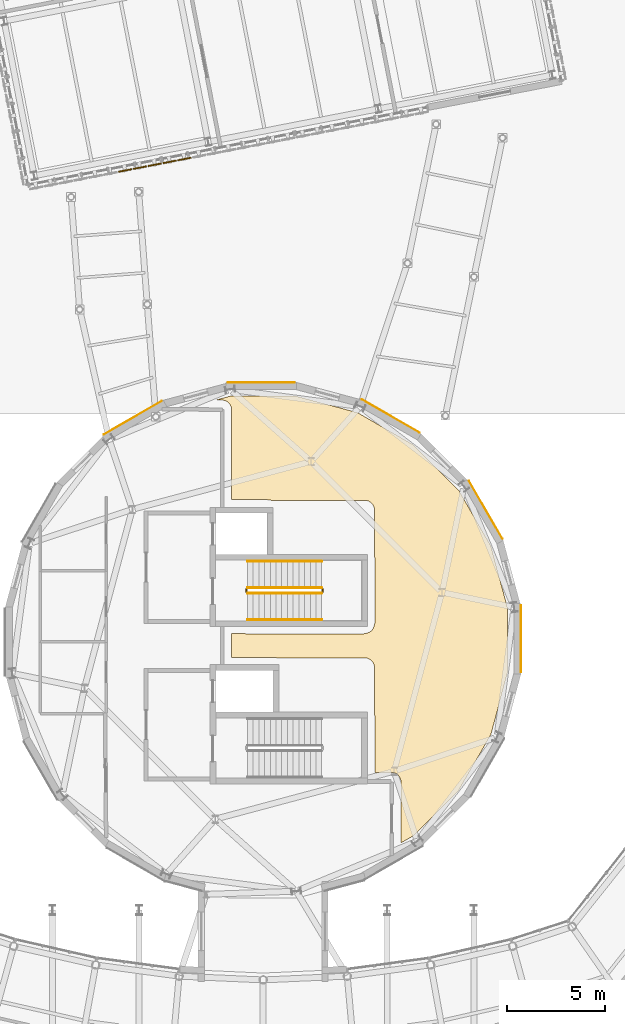
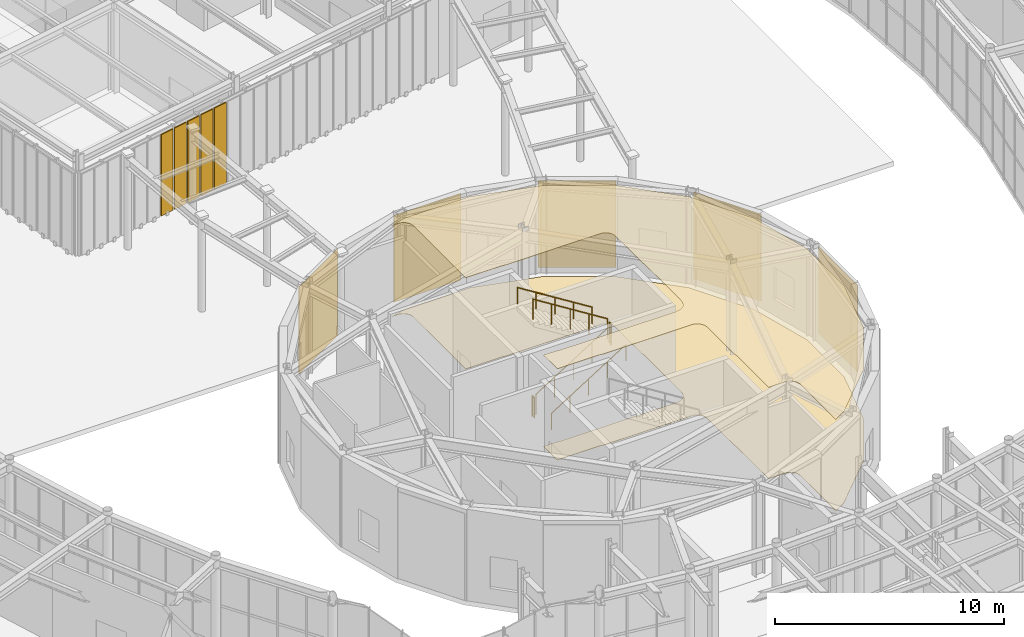
# One storey, part 89 of 97: 7 coverings, 6 railings, 5 shading devices.
"""IFC4 building model written with IfcOpenShell, lengths in metres."""

from ifc_helpers import new_model, si_unit, direction, frame, origin, origin_2d, place, context, subcontext, project, spatial, polyline, rectangle, circle, outline, extrude, material, layer, layer_set, type_object, element, save


model = new_model("IFC4")

# Units and contexts
model_context = context("Model", 3, precision=1e-05, world=origin(), true_north=direction((0.0, 1.0)))
body_context = subcontext(model_context, "Body", "Model", "MODEL_VIEW")
ifc_project = project(units=[si_unit("LENGTHUNIT", "METRE"), si_unit("AREAUNIT", "SQUARE_METRE"), si_unit("VOLUMEUNIT", "CUBIC_METRE"), si_unit("PLANEANGLEUNIT", "RADIAN"), si_unit("MASSUNIT", "GRAM", prefix="KILO")], contexts=[model_context])

# Site, building, storey
site_placement = place(None, origin())
site = spatial("IfcSite", under=ifc_project, at=site_placement, CompositionType="ELEMENT")
building_placement = place(site_placement, origin())
building = spatial("IfcBuilding", under=site, at=building_placement, Name="Varnklinge Art Gallery", CompositionType="ELEMENT")
storey_placement = place(building_placement, origin())
storey = spatial("IfcBuildingStorey", under=building, at=storey_placement, Name="L00", CompositionType="ELEMENT", Elevation=0.0)

# Coverings
ifc_material_1 = material(Name="Pre-weathered Zinc", Category="metal")
ifc_layer_1 = layer(ifc_material_1, 0.02490234375)
ifc_layer_set_1 = layer_set([ifc_layer_1], Name="Pre-weathered Zinc")
covering_type_1 = type_object("IfcCoveringType", Name="CLD-ZNC", PredefinedType="CLADDING", material=ifc_layer_set_1)
covering_1_placement = place(storey_placement, frame((88.599609375, 38.590087890625, 0.02734375), z_axis=(0.0, 0.0, 1.0), x_axis=(0.0, -1.0, 0.0)))
element("IfcCovering", 1, at=covering_1_placement, inside=storey, type_object=covering_type_1, Name="L00 Brushed Zinc Drum Cladding EW-V4D-L00-01", PredefinedType="CLADDING", context=body_context, shape_type="SweptSolid", body=[
    extrude(rectangle(XDim=3.3984375, YDim=0.02490234375, at=origin_2d()), origin(), (0.0, 0.0, 1.0), 4.6298828125),
])
covering_2_placement = place(storey_placement, frame((68.872314453125, 49.799560546875, 0.02734375), z_axis=(0.0, 0.0, 1.0), x_axis=(0.866025403784, 0.5, 0.0)))
element("IfcCovering", 2, at=covering_2_placement, inside=storey, type_object=covering_type_1, Name="L00 Brushed Zinc Drum Cladding EW-V4D-L00-16", PredefinedType="CLADDING", context=body_context, shape_type="SweptSolid", body=[
    extrude(rectangle(XDim=3.398681640625, YDim=0.02490234375, at=origin_2d()), origin(), (0.0, 0.0, 1.0), 4.6298828125),
])
covering_3_placement = place(storey_placement, frame((75.409912109375, 51.599609375, 0.02734375), z_axis=(0.0, 0.0, 1.0), x_axis=(1.0, 0.0, 0.0)))
element("IfcCovering", 3, at=covering_3_placement, inside=storey, type_object=covering_type_1, Name="L00 Brushed Zinc Drum Cladding EW-V4D-L00-18", PredefinedType="CLADDING", context=body_context, shape_type="SweptSolid", body=[
    extrude(rectangle(XDim=3.3984375, YDim=0.02490234375, at=origin_2d()), origin(), (0.0, 0.0, 1.0), 4.6298828125),
])
for number, where, z_axis, x_axis, name in (
    (4, (81.9716796875, 49.8896484375, 0.02734375), (0.0, 0.0, 1.0), (0.866025403784, -0.5, 0.0), "L00 Brushed Zinc Drum Cladding EW-V4D-L00-20"),
    (5, (86.799560546875, 45.127685546875, 0.02734375), (0.0, 0.0, 1.0), (0.5, -0.866025403784, 0.0), "L00 Brushed Zinc Drum Cladding EW-V4D-L00-22"),
):
    element("IfcCovering", number, at=place(storey_placement, frame(where, z_axis=z_axis, x_axis=x_axis)), inside=storey, type_object=covering_type_1, Name=name, PredefinedType="CLADDING", context=body_context, shape_type="SweptSolid", body=[
        extrude(rectangle(XDim=3.398681640625, YDim=0.02490234375, at=origin_2d()), origin(), (0.0, 0.0, 1.0), 4.6298828125),
    ])
ifc_material_2 = material(Name="Acoustic Mineral Tile", Category="mineral")
ifc_layer_2 = layer(ifc_material_2, 0.02490234375)
ifc_layer_set_2 = layer_set([ifc_layer_2], Name="Acoustic Mineral Tile")
covering_type_2 = type_object("IfcCoveringType", Name="CLG-AC", PredefinedType="CEILING", material=ifc_layer_set_2)
covering_4_placement = place(storey_placement, frame((0.0, 0.0, 4.85498046875)))
element("IfcCovering", 6, at=covering_4_placement, inside=storey, type_object=covering_type_2, Name="L00 Acoustic Mineral Ceiling 010", PredefinedType="CEILING", context=body_context, shape_type="SweptSolid", body=[
    extrude(outline(polyline([(73.09375, 50.699951171875), (73.39990234375, 50.699951171875), (73.448974609375, 50.697509765625), (73.49755859375, 50.6904296875), (73.545166015625, 50.678466796875), (73.59130859375, 50.661865234375), (73.6357421875, 50.64111328125), (73.677734375, 50.61572265625), (73.71728515625, 50.58642578125), (73.753662109375, 50.5537109375), (73.78662109375, 50.51708984375), (73.815673828125, 50.477783203125), (73.841064453125, 50.435791015625), (73.86181640625, 50.391357421875), (73.87841796875, 50.34521484375), (73.890380859375, 50.297607421875), (73.897705078125, 50.2490234375), (73.89990234375, 50.199951171875), (73.89990234375, 45.639892578125), (75.699951171875, 45.639892578125), (75.7734375, 45.634521484375), (75.82568359375, 45.626708984375), (75.87353515625, 45.6171875), (75.897705078125, 45.610107421875), (80.64990234375, 45.610107421875), (80.698974609375, 45.607666015625), (80.74755859375, 45.600341796875), (80.795166015625, 45.58837890625), (80.84130859375, 45.572021484375), (80.8857421875, 45.551025390625), (80.927734375, 45.525634765625), (80.96728515625, 45.49658203125), (81.003662109375, 45.463623046875), (81.03662109375, 45.42724609375), (81.065673828125, 45.3876953125), (81.091064453125, 45.345703125), (81.11181640625, 45.30126953125), (81.12841796875, 45.255126953125), (81.140380859375, 45.20751953125), (81.147705078125, 45.158935546875), (81.14990234375, 45.110107421875), (81.14990234375, 42.7578125), (81.1572265625, 42.7333984375), (81.166748046875, 42.685546875), (81.174560546875, 42.63330078125), (81.1787109375, 42.5966796875), (81.179931640625, 42.56005859375), (81.179931640625, 39.5), (81.1787109375, 39.463134765625), (81.174560546875, 39.426513671875), (81.166748046875, 39.37451171875), (81.1572265625, 39.326416015625), (81.145751953125, 39.287841796875), (81.140380859375, 39.25244140625), (81.12841796875, 39.204833984375), (81.11181640625, 39.15869140625), (81.091064453125, 39.1142578125), (81.065673828125, 39.072265625), (81.03662109375, 39.03271484375), (81.003662109375, 38.996337890625), (80.96728515625, 38.96337890625), (80.927734375, 38.934326171875), (80.8857421875, 38.908935546875), (80.84130859375, 38.88818359375), (80.795166015625, 38.87158203125), (80.74755859375, 38.859619140625), (80.712158203125, 38.854248046875), (80.673583984375, 38.8427734375), (80.62548828125, 38.833251953125), (80.573486328125, 38.825439453125), (80.5, 38.820068359375), (74.72509765625, 38.820068359375), (74.651611328125, 38.825439453125), (74.599365234375, 38.833251953125), (74.551513671875, 38.8427734375), (74.52734375, 38.85009765625), (73.89990234375, 38.85009765625), (73.89990234375, 37.639892578125), (76.0, 37.639892578125), (76.073486328125, 37.634521484375), (76.12548828125, 37.626708984375), (76.173583984375, 37.6171875), (76.19775390625, 37.610107421875), (80.64990234375, 37.610107421875), (80.698974609375, 37.607666015625), (80.74755859375, 37.600341796875), (80.795166015625, 37.58837890625), (80.84130859375, 37.572021484375), (80.8857421875, 37.551025390625), (80.927734375, 37.525634765625), (80.96728515625, 37.49658203125), (81.003662109375, 37.463623046875), (81.03662109375, 37.42724609375), (81.065673828125, 37.3876953125), (81.091064453125, 37.345703125), (81.11181640625, 37.30126953125), (81.12841796875, 37.255126953125), (81.140380859375, 37.20751953125), (81.147705078125, 37.158935546875), (81.14990234375, 37.110107421875), (81.14990234375, 34.7578125), (81.1572265625, 34.7333984375), (81.166748046875, 34.685546875), (81.174560546875, 34.63330078125), (81.1787109375, 34.5966796875), (81.179931640625, 34.56005859375), (81.179931640625, 31.800048828125), (82.0, 31.800048828125), (82.049072265625, 31.797607421875), (82.097412109375, 31.790283203125), (82.14501953125, 31.778564453125), (82.19140625, 31.761962890625), (82.235595703125, 31.740966796875), (82.27783203125, 31.7158203125), (82.317138671875, 31.6865234375), (82.353515625, 31.653564453125), (82.386474609375, 31.6171875), (82.415771484375, 31.577880859375), (82.44091796875, 31.53564453125), (82.4619140625, 31.4912109375), (82.478515625, 31.445068359375), (82.490478515625, 31.3974609375), (82.49755859375, 31.34912109375), (82.5, 31.300048828125), (82.5, 28.215087890625), (83.1181640625, 28.57177734375), (85.42822265625, 30.8818359375), (87.0615234375, 33.711181640625), (87.906982421875, 36.86669921875), (87.906982421875, 40.13330078125), (87.0615234375, 43.288818359375), (85.42822265625, 46.1181640625), (83.1181640625, 48.42822265625), (80.288818359375, 50.0615234375), (77.13330078125, 50.906982421875), (73.86669921875, 50.906982421875), (73.09375, 50.699951171875)])), origin(), (0.0, 0.0, 1.0), 0.02490234375),
])
ifc_material_3 = material(Name="Polished Terrazzo Flooring", Category="stone")
ifc_layer_3 = layer(ifc_material_3, 0.02001953125)
ifc_layer_set_3 = layer_set([ifc_layer_3], Name="Polished Terrazzo Flooring")
covering_type_3 = type_object("IfcCoveringType", Name="FLR-STN", PredefinedType="FLOORING", material=ifc_layer_set_3)
covering_5_placement = place(storey_placement, origin())
element("IfcCovering", 7, at=covering_5_placement, inside=storey, type_object=covering_type_3, Name="L00 Gallery Terrazzo Flooring 010", PredefinedType="FLOORING", context=body_context, shape_type="SweptSolid", body=[
    extrude(outline(polyline([(73.09375, 50.699951171875), (73.39990234375, 50.699951171875), (73.448974609375, 50.697509765625), (73.49755859375, 50.6904296875), (73.545166015625, 50.678466796875), (73.59130859375, 50.661865234375), (73.6357421875, 50.64111328125), (73.677734375, 50.61572265625), (73.71728515625, 50.58642578125), (73.753662109375, 50.5537109375), (73.78662109375, 50.51708984375), (73.815673828125, 50.477783203125), (73.841064453125, 50.435791015625), (73.86181640625, 50.391357421875), (73.87841796875, 50.34521484375), (73.890380859375, 50.297607421875), (73.897705078125, 50.2490234375), (73.89990234375, 50.199951171875), (73.89990234375, 45.639892578125), (75.699951171875, 45.639892578125), (75.7734375, 45.634521484375), (75.82568359375, 45.626708984375), (75.87353515625, 45.6171875), (75.897705078125, 45.610107421875), (80.64990234375, 45.610107421875), (80.698974609375, 45.607666015625), (80.74755859375, 45.600341796875), (80.795166015625, 45.58837890625), (80.84130859375, 45.572021484375), (80.8857421875, 45.551025390625), (80.927734375, 45.525634765625), (80.96728515625, 45.49658203125), (81.003662109375, 45.463623046875), (81.03662109375, 45.42724609375), (81.065673828125, 45.3876953125), (81.091064453125, 45.345703125), (81.11181640625, 45.30126953125), (81.12841796875, 45.255126953125), (81.140380859375, 45.20751953125), (81.147705078125, 45.158935546875), (81.14990234375, 45.110107421875), (81.14990234375, 42.7578125), (81.1572265625, 42.7333984375), (81.166748046875, 42.685546875), (81.174560546875, 42.63330078125), (81.1787109375, 42.5966796875), (81.179931640625, 42.56005859375), (81.179931640625, 39.5), (81.1787109375, 39.463134765625), (81.174560546875, 39.426513671875), (81.166748046875, 39.37451171875), (81.1572265625, 39.326416015625), (81.145751953125, 39.287841796875), (81.140380859375, 39.25244140625), (81.12841796875, 39.204833984375), (81.11181640625, 39.15869140625), (81.091064453125, 39.1142578125), (81.065673828125, 39.072265625), (81.03662109375, 39.03271484375), (81.003662109375, 38.996337890625), (80.96728515625, 38.96337890625), (80.927734375, 38.934326171875), (80.8857421875, 38.908935546875), (80.84130859375, 38.88818359375), (80.795166015625, 38.87158203125), (80.74755859375, 38.859619140625), (80.712158203125, 38.854248046875), (80.673583984375, 38.8427734375), (80.62548828125, 38.833251953125), (80.573486328125, 38.825439453125), (80.5, 38.820068359375), (74.72509765625, 38.820068359375), (74.651611328125, 38.825439453125), (74.599365234375, 38.833251953125), (74.551513671875, 38.8427734375), (74.52734375, 38.85009765625), (73.89990234375, 38.85009765625), (73.89990234375, 37.639892578125), (76.0, 37.639892578125), (76.073486328125, 37.634521484375), (76.12548828125, 37.626708984375), (76.173583984375, 37.6171875), (76.19775390625, 37.610107421875), (80.64990234375, 37.610107421875), (80.698974609375, 37.607666015625), (80.74755859375, 37.600341796875), (80.795166015625, 37.58837890625), (80.84130859375, 37.572021484375), (80.8857421875, 37.551025390625), (80.927734375, 37.525634765625), (80.96728515625, 37.49658203125), (81.003662109375, 37.463623046875), (81.03662109375, 37.42724609375), (81.065673828125, 37.3876953125), (81.091064453125, 37.345703125), (81.11181640625, 37.30126953125), (81.12841796875, 37.255126953125), (81.140380859375, 37.20751953125), (81.147705078125, 37.158935546875), (81.14990234375, 37.110107421875), (81.14990234375, 34.7578125), (81.1572265625, 34.7333984375), (81.166748046875, 34.685546875), (81.174560546875, 34.63330078125), (81.1787109375, 34.5966796875), (81.179931640625, 34.56005859375), (81.179931640625, 31.800048828125), (82.0, 31.800048828125), (82.049072265625, 31.797607421875), (82.097412109375, 31.790283203125), (82.14501953125, 31.778564453125), (82.19140625, 31.761962890625), (82.235595703125, 31.740966796875), (82.27783203125, 31.7158203125), (82.317138671875, 31.6865234375), (82.353515625, 31.653564453125), (82.386474609375, 31.6171875), (82.415771484375, 31.577880859375), (82.44091796875, 31.53564453125), (82.4619140625, 31.4912109375), (82.478515625, 31.445068359375), (82.490478515625, 31.3974609375), (82.49755859375, 31.34912109375), (82.5, 31.300048828125), (82.5, 28.215087890625), (83.1181640625, 28.57177734375), (85.42822265625, 30.8818359375), (87.0615234375, 33.711181640625), (87.906982421875, 36.86669921875), (87.906982421875, 40.13330078125), (87.0615234375, 43.288818359375), (85.42822265625, 46.1181640625), (83.1181640625, 48.42822265625), (80.288818359375, 50.0615234375), (77.13330078125, 50.906982421875), (73.86669921875, 50.906982421875), (73.09375, 50.699951171875)])), origin(), (0.0, 0.0, 1.0), 0.02001953125),
])

# Railings
ifc_material_4 = material(Name="Steel S355", Category="steel")
railing_type_1 = type_object("IfcRailingType", Name="GR-INT", PredefinedType="GUARDRAIL", material=ifc_material_4)
railing_1_placement = place(storey_placement, frame((74.699951171875, 40.89990234375, 0.18212890625)))
element("IfcRailing", 8, at=railing_1_placement, inside=storey, type_object=railing_type_1, Name="L00 ST-02 stair guard 1", PredefinedType="GUARDRAIL", context=body_context, shape_type="SweptSolid", body=[
    extrude(circle(Radius=0.02392578125, at=origin_2d()), frame((0.0, 0.0, 1.076171875), z_axis=(0.846819337722, 0.0, 0.53188063441), x_axis=(0.0, 1.0, 0.0)), (0.0, 0.0, 1.0), 4.451904296875),
    extrude(circle(Radius=0.02099609375, at=origin_2d()), origin(), (0.0, 0.0, 1.0), 1.052001953125),
    extrude(circle(Radius=0.02099609375, at=origin_2d()), frame((0.9423828125, 0.0, 0.592041015625)), (0.0, 0.0, 1.0), 1.052001953125),
    extrude(circle(Radius=0.02099609375, at=origin_2d()), frame((1.885009765625, 0.0, 1.18408203125)), (0.0, 0.0, 1.0), 1.052001953125),
    extrude(circle(Radius=0.02099609375, at=origin_2d()), frame((2.82763671875, 0.0, 1.77587890625)), (0.0, 0.0, 1.0), 1.052001953125),
    extrude(circle(Radius=0.02099609375, at=origin_2d()), frame((3.77001953125, 0.0, 2.367919921875)), (0.0, 0.0, 1.0), 1.052001953125),
])
railing_2_placement = place(storey_placement, frame((78.52001953125, 40.949951171875, 2.550048828125)))
element("IfcRailing", 9, at=railing_2_placement, inside=storey, type_object=railing_type_1, Name="L00 ST-02 stair guard 2", PredefinedType="GUARDRAIL", context=body_context, shape_type="SweptSolid", body=[
    extrude(circle(Radius=0.02392578125, at=origin_2d()), frame((0.0, 0.0, 1.076171875), z_axis=(0.0, 1.0, 0.0), x_axis=(-1.0, 0.0, 0.0)), (0.0, 0.0, 1.0), 0.16015625),
    extrude(circle(Radius=0.02099609375, at=origin_2d()), origin(), (0.0, 0.0, 1.0), 1.052001953125),
    extrude(circle(Radius=0.02099609375, at=origin_2d()), frame((0.0, 0.16015625, 0.0)), (0.0, 0.0, 1.0), 1.052001953125),
])
railing_3_placement = place(storey_placement, frame((78.469970703125, 41.159912109375, 2.732177734375)))
element("IfcRailing", 10, at=railing_3_placement, inside=storey, type_object=railing_type_1, Name="L00 ST-02 stair guard 3", PredefinedType="GUARDRAIL", context=body_context, shape_type="SweptSolid", body=[
    extrude(circle(Radius=0.02392578125, at=origin_2d()), frame((0.0, 0.0, 1.076171875), z_axis=(-0.846819337722, 0.0, 0.53188063441), x_axis=(0.0, -1.0, 0.0)), (0.0, 0.0, 1.0), 4.451904296875),
    extrude(circle(Radius=0.02099609375, at=origin_2d()), origin(), (0.0, 0.0, 1.0), 1.052001953125),
    extrude(circle(Radius=0.02099609375, at=origin_2d()), frame((-0.9423828125, 0.0, 0.592041015625)), (0.0, 0.0, 1.0), 1.052001953125),
    extrude(circle(Radius=0.02099609375, at=origin_2d()), frame((-1.885009765625, 0.0, 1.18408203125)), (0.0, 0.0, 1.0), 1.052001953125),
    extrude(circle(Radius=0.02099609375, at=origin_2d()), frame((-2.82763671875, 0.0, 1.77587890625)), (0.0, 0.0, 1.0), 1.052001953125),
    extrude(circle(Radius=0.02099609375, at=origin_2d()), frame((-3.77001953125, 0.0, 2.367919921875)), (0.0, 0.0, 1.0), 1.052001953125),
])
railing_4_placement = place(storey_placement, frame((74.64990234375, 40.949951171875, 0.0)))
element("IfcRailing", 11, at=railing_4_placement, inside=storey, type_object=railing_type_1, Name="L00 ST-02 stair guard 4", PredefinedType="GUARDRAIL", context=body_context, shape_type="SweptSolid", body=[
    extrude(circle(Radius=0.02392578125, at=origin_2d()), frame((0.0, 0.0, 1.076171875), z_axis=(0.0, 1.0, 0.0), x_axis=(-1.0, 0.0, 0.0)), (0.0, 0.0, 1.0), 0.16015625),
    extrude(circle(Radius=0.02099609375, at=origin_2d()), origin(), (0.0, 0.0, 1.0), 1.052001953125),
    extrude(circle(Radius=0.02099609375, at=origin_2d()), frame((0.0, 0.16015625, 0.0)), (0.0, 0.0, 1.0), 1.052001953125),
])
ifc_material_5 = material(Name="Steel S355", Category="steel")
railing_type_2 = type_object("IfcRailingType", Name="HR-01", PredefinedType="HANDRAIL", material=ifc_material_5)
railing_5_placement = place(storey_placement, frame((74.699951171875, 39.550048828125, 0.18212890625)))
element("IfcRailing", 12, at=railing_5_placement, inside=storey, type_object=railing_type_2, Name="L00 ST-02 stair handrail 1", PredefinedType="HANDRAIL", context=body_context, shape_type="SweptSolid", body=[
    extrude(circle(Radius=0.02392578125, at=origin_2d()), frame((0.0, 0.0, 0.8759765625), z_axis=(0.846819337722, 0.0, 0.53188063441), x_axis=(0.0, 1.0, 0.0)), (0.0, 0.0, 1.0), 4.451904296875),
    extrude(circle(Radius=0.02099609375, at=origin_2d()), origin(), (0.0, 0.0, 1.0), 0.851806640625),
    extrude(circle(Radius=0.02099609375, at=origin_2d()), frame((0.9423828125, 0.0, 0.592041015625)), (0.0, 0.0, 1.0), 0.851806640625),
    extrude(circle(Radius=0.02099609375, at=origin_2d()), frame((1.885009765625, 0.0, 1.18408203125)), (0.0, 0.0, 1.0), 0.851806640625),
    extrude(circle(Radius=0.02099609375, at=origin_2d()), frame((2.82763671875, 0.0, 1.77587890625)), (0.0, 0.0, 1.0), 0.851806640625),
    extrude(circle(Radius=0.02099609375, at=origin_2d()), frame((3.77001953125, 0.0, 2.367919921875)), (0.0, 0.0, 1.0), 0.851806640625),
])
railing_6_placement = place(storey_placement, frame((78.469970703125, 42.510009765625, 2.732177734375)))
element("IfcRailing", 13, at=railing_6_placement, inside=storey, type_object=railing_type_2, Name="L00 ST-02 stair handrail 2", PredefinedType="HANDRAIL", context=body_context, shape_type="SweptSolid", body=[
    extrude(circle(Radius=0.02392578125, at=origin_2d()), frame((0.0, 0.0, 0.8759765625), z_axis=(-0.846819337722, 0.0, 0.53188063441), x_axis=(0.0, -1.0, 0.0)), (0.0, 0.0, 1.0), 4.451904296875),
    extrude(circle(Radius=0.02099609375, at=origin_2d()), origin(), (0.0, 0.0, 1.0), 0.851806640625),
    extrude(circle(Radius=0.02099609375, at=origin_2d()), frame((-0.9423828125, 0.0, 0.592041015625)), (0.0, 0.0, 1.0), 0.851806640625),
    extrude(circle(Radius=0.02099609375, at=origin_2d()), frame((-1.885009765625, 0.0, 1.18408203125)), (0.0, 0.0, 1.0), 0.851806640625),
    extrude(circle(Radius=0.02099609375, at=origin_2d()), frame((-2.82763671875, 0.0, 1.77587890625)), (0.0, 0.0, 1.0), 0.851806640625),
    extrude(circle(Radius=0.02099609375, at=origin_2d()), frame((-3.77001953125, 0.0, 2.367919921875)), (0.0, 0.0, 1.0), 0.851806640625),
])

# Shading devices
ifc_material_6 = material(Name="Perforated Aluminium-Precast Lattice", Category="concrete")
ifc_layer_4 = layer(ifc_material_6, 0.06005859375)
ifc_layer_set_4 = layer_set([ifc_layer_4], Name="Perforated Aluminium-Precast Lattice")
shading_device_type = type_object("IfcShadingDeviceType", Name="SHD-LAT", PredefinedType="USERDEFINED", material=ifc_layer_set_4)
for number, where, z_axis, x_axis, name in (
    (14, (68.489990234375, 62.356201171875, 0.099853515625), (0.0, 0.0, 1.0), (0.981627183448, 0.190808995377, 0.0), "L00 Perforated Lattice Screen 1.1.7"),
    (15, (69.24267578125, 62.50244140625, 0.099853515625), (0.0, 0.0, 1.0), (0.981627183448, 0.190808995377, 0.0), "L00 Perforated Lattice Screen 1.1.8"),
    (16, (69.9951171875, 62.648681640625, 0.099853515625), (0.0, 0.0, 1.0), (0.981627183448, 0.190808995377, 0.0), "L00 Perforated Lattice Screen 1.1.9"),
    (17, (70.747802734375, 62.794921875, 0.099853515625), (0.0, 0.0, 1.0), (0.981627183448, 0.190808995377, 0.0), "L00 Perforated Lattice Screen 1.2.1"),
    (18, (71.50048828125, 62.941162109375, 0.099853515625), (0.0, 0.0, 1.0), (0.981627183448, 0.190808995377, 0.0), "L00 Perforated Lattice Screen 1.2.2"),
):
    element("IfcShadingDevice", number, at=place(storey_placement, frame(where, z_axis=z_axis, x_axis=x_axis)), inside=storey, type_object=shading_device_type, Name=name, ObjectType="LATTICE SCREEN", PredefinedType="USERDEFINED", context=body_context, shape_type="SweptSolid", body=[
        extrude(rectangle(XDim=0.679931640625, YDim=0.06005859375, at=origin_2d()), origin(), (0.0, 0.0, 1.0), 4.330078125),
    ])

save(model, "model.ifc")
